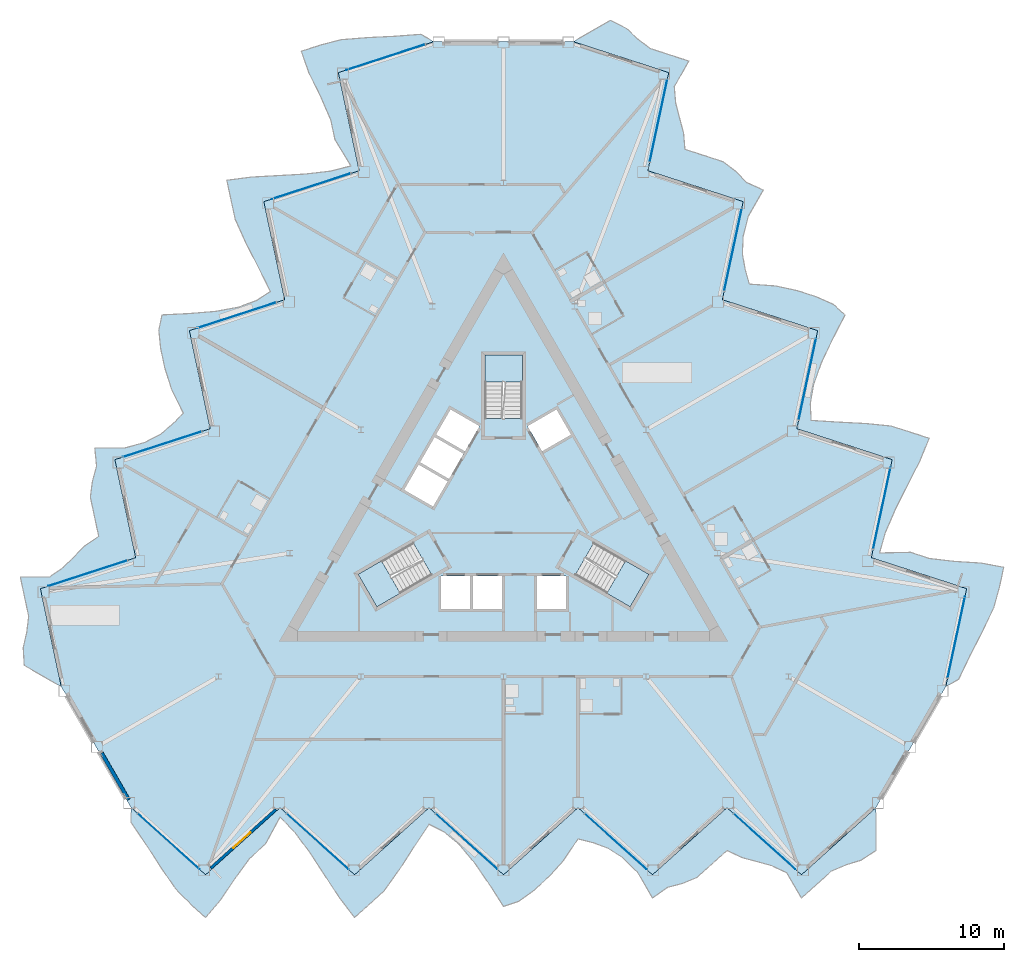
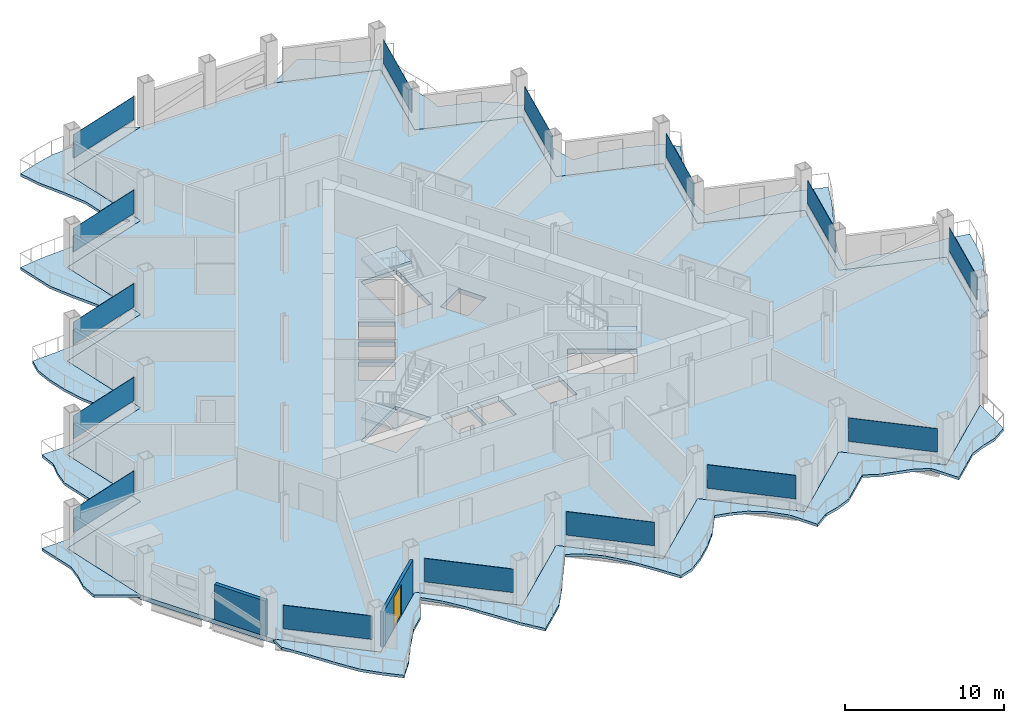
# One storey, part 9 of 22: 15 plates, 7 slabs, 2 walls, 1 door, 1 opening, 18 elements without a shape of their own.
"""IFC4 building model written with IfcOpenShell, lengths in metres."""

from ifc_helpers import new_model, si_unit, direction, frame, frame_2d, origin, origin_2d, place, context, subcontext, project, spatial, polyline, rectangle, outline, extrude, material, layer, layer_set, type_object, element, fill, aggregate, save


model = new_model("IFC4")

# Units and contexts
model_context = context("Model", 3, precision=1e-05, world=origin(), true_north=direction((0.0, 1.0)))
body_context = subcontext(model_context, "Body", "Model", "MODEL_VIEW")
ifc_project = project(units=[si_unit("LENGTHUNIT", "METRE"), si_unit("AREAUNIT", "SQUARE_METRE"), si_unit("VOLUMEUNIT", "CUBIC_METRE"), si_unit("PLANEANGLEUNIT", "RADIAN"), si_unit("MASSUNIT", "GRAM", prefix="KILO")], contexts=[model_context])

# Site, building, storey
site_placement = place(None, origin())
site = spatial("IfcSite", under=ifc_project, at=site_placement, CompositionType="ELEMENT")
building_placement = place(site_placement, origin())
building = spatial("IfcBuilding", under=site, at=building_placement, Name="Cormorant Prow Tower", CompositionType="ELEMENT")
storey_placement = place(building_placement, frame((0.0, 0.0, 190.800048828125)))
storey = spatial("IfcBuildingStorey", under=building, at=storey_placement, Name="L41", CompositionType="ELEMENT", Elevation=190.800048828125)

# Slabs
ifc_material_1 = material(Name="Concrete C40/50", Category="concrete")
ifc_layer_1 = layer(ifc_material_1, 0.199951171875)
ifc_layer_set_1 = layer_set([ifc_layer_1], Name="Concrete C40/50")
slab_type_1 = type_object("IfcSlabType", Name="Balcony slab 200", PredefinedType="FLOOR", material=ifc_layer_set_1)
slab_1_placement = place(storey_placement, frame((0.0, 0.0, -0.199951171875)))
element("IfcSlab", 1, at=slab_1_placement, inside=storey, type_object=slab_type_1, Name="Balcony slab S L41", PredefinedType="FLOOR", context=body_context, shape_type="SweptSolid", body=[
    extrude(outline(polyline([(-25.692626953125, -20.39892578125), (-25.692626953125, -21.4150390625), (-24.664794921875, -22.92431640625), (-23.63720703125, -24.52001953125), (-22.609375, -26.009033203125), (-21.581787109375, -27.05029296875), (-20.55419921875, -27.975830078125), (-19.5263671875, -26.775146484375), (-18.498779296875, -25.2314453125), (-17.470947265625, -23.849609375), (-16.443359375, -22.92431640625), (-15.41552734375, -21.0517578125), (-14.387939453125, -22.11328125), (-13.360107421875, -23.494384765625), (-12.33251953125, -25.064208984375), (-11.3046875, -26.636962890625), (-10.277099609375, -27.975830078125), (-9.249267578125, -27.05029296875), (-8.2216796875, -26.11181640625), (-7.19384765625, -24.67626953125), (-6.166259765625, -23.08935546875), (-5.138427734375, -21.541259765625), (-4.11083984375, -22.061767578125), (-3.0830078125, -22.9169921875), (-2.055419921875, -24.126708984375), (-1.027587890625, -25.609375), (0.0, -27.20458984375), (1.027587890625, -26.86865234375), (2.055419921875, -26.125), (3.0830078125, -25.19970703125), (4.11083984375, -24.0712890625), (5.138427734375, -22.548828125), (6.166259765625, -22.805419921875), (7.19384765625, -23.182373046875), (8.2216796875, -23.837646484375), (9.249267578125, -24.84912109375), (10.277099609375, -26.625732421875), (11.3046875, -25.894775390625), (12.33251953125, -25.62841796875), (13.360107421875, -25.19970703125), (14.387939453125, -24.2744140625), (15.41552734375, -23.348876953125), (16.443359375, -23.83544921875), (17.470947265625, -24.109375), (18.498779296875, -24.394775390625), (19.5263671875, -24.8759765625), (20.55419921875, -26.625732421875), (21.581787109375, -25.700439453125), (22.609375, -24.77490234375), (23.63720703125, -24.33544921875), (24.664794921875, -24.022216796875), (25.692626953125, -23.348876953125), (25.692626953125, -20.39892578125), (24.664794921875, -21.32421875), (23.63720703125, -22.249755859375), (22.609375, -23.175048828125), (21.581787109375, -24.100341796875), (20.55419921875, -25.025634765625), (19.5263671875, -24.100341796875), (18.498779296875, -23.175048828125), (17.470947265625, -22.249755859375), (16.443359375, -21.32421875), (15.41552734375, -20.39892578125), (14.387939453125, -21.32421875), (13.360107421875, -22.249755859375), (12.33251953125, -23.175048828125), (11.3046875, -24.100341796875), (10.277099609375, -25.025634765625), (9.249267578125, -24.100341796875), (8.2216796875, -23.175048828125), (7.19384765625, -22.249755859375), (6.166259765625, -21.32421875), (5.138427734375, -20.39892578125), (4.11083984375, -21.32421875), (3.0830078125, -22.249755859375), (2.055419921875, -23.175048828125), (1.027587890625, -24.100341796875), (0.0, -25.025634765625), (-1.027587890625, -24.100341796875), (-2.055419921875, -23.175048828125), (-3.0830078125, -22.249755859375), (-4.11083984375, -21.32421875), (-5.138427734375, -20.39892578125), (-6.166259765625, -21.32421875), (-7.19384765625, -22.249755859375), (-8.2216796875, -23.175048828125), (-9.249267578125, -24.100341796875), (-10.277099609375, -25.025634765625), (-11.3046875, -24.100341796875), (-12.33251953125, -23.175048828125), (-13.360107421875, -22.249755859375), (-14.387939453125, -21.32421875), (-15.41552734375, -20.39892578125), (-16.443359375, -21.32421875), (-17.470947265625, -22.249755859375), (-18.498779296875, -23.175048828125), (-19.5263671875, -24.100341796875), (-20.55419921875, -25.025634765625), (-21.581787109375, -24.100341796875), (-22.609375, -23.175048828125), (-23.63720703125, -22.249755859375), (-24.664794921875, -21.32421875), (-25.692626953125, -20.39892578125)])), origin(), (0.0, 0.0, 1.0), 0.199951171875),
])
slab_2_placement = place(storey_placement, frame((0.0, 0.0, -0.199951171875)))
element("IfcSlab", 2, at=slab_2_placement, inside=storey, type_object=slab_type_1, Name="Balcony slab ENE L41", PredefinedType="FLOOR", context=body_context, shape_type="SweptSolid", body=[
    extrude(outline(polyline([(30.51220703125, -12.051025390625), (31.392333984375, -11.54296875), (32.185546875, -9.898193359375), (33.053466796875, -8.21044921875), (33.8291015625, -6.575927734375), (34.21728515625, -5.165283203125), (34.504638671875, -3.8125), (32.951171875, -3.522705078125), (31.100341796875, -3.404541015625), (29.389892578125, -3.20556640625), (28.07470703125, -2.778076171875), (25.939208984375, -2.824462890625), (26.344482421875, -1.403564453125), (27.02685546875, 0.177001953125), (27.872314453125, 1.851806640625), (28.720703125, 3.5283203125), (29.3662109375, 5.087646484375), (28.051025390625, 5.51513671875), (26.724365234375, 5.935791015625), (24.96728515625, 6.108154296875), (23.0791015625, 6.20458984375), (21.224609375, 6.320556640625), (21.16162109375, 7.470947265625), (21.38818359375, 8.788330078125), (21.922119140625, 10.283447265625), (22.692138671875, 11.91455078125), (23.559814453125, 13.602294921875), (22.755126953125, 14.324462890625), (21.59716796875, 14.842529296875), (20.281982421875, 15.269775390625), (18.790771484375, 15.595703125), (16.958740234375, 15.724609375), (16.6669921875, 16.742919921875), (16.4794921875, 17.8212890625), (16.533203125, 19.0390625), (16.895263671875, 20.434814453125), (17.919921875, 22.213134765625), (16.773193359375, 22.737548828125), (16.028564453125, 23.494384765625), (15.1435546875, 24.170166015625), (13.828125, 24.597412109375), (12.512939453125, 25.024658203125), (12.42041015625, 26.157958984375), (12.143798828125, 27.184814453125), (11.877197265625, 28.2177734375), (11.780029296875, 29.348388671875), (12.781494140625, 31.11328125), (11.46630859375, 31.54052734375), (10.151123046875, 31.968017578125), (9.256591796875, 32.63818359375), (8.47119140625, 33.37158203125), (7.37451171875, 33.925048828125), (4.81982421875, 32.449951171875), (6.135009765625, 32.022705078125), (7.4501953125, 31.59521484375), (8.765380859375, 31.16796875), (10.08056640625, 30.740478515625), (11.395751953125, 30.313232421875), (11.1083984375, 28.96044921875), (10.82080078125, 27.60791015625), (10.533203125, 26.255126953125), (10.245849609375, 24.90234375), (9.958251953125, 23.5498046875), (11.2734375, 23.122314453125), (12.588623046875, 22.695068359375), (13.90380859375, 22.267822265625), (15.21923828125, 21.84033203125), (16.534423828125, 21.4130859375), (16.246826171875, 20.060302734375), (15.959228515625, 18.707763671875), (15.671875, 17.35498046875), (15.38427734375, 16.002197265625), (15.0966796875, 14.649658203125), (16.412109375, 14.22216796875), (17.727294921875, 13.794921875), (19.04248046875, 13.367431640625), (20.357666015625, 12.940185546875), (21.6728515625, 12.512939453125), (21.385498046875, 11.16015625), (21.097900390625, 9.807373046875), (20.810302734375, 8.454833984375), (20.522705078125, 7.10205078125), (20.2353515625, 5.74951171875), (21.550537109375, 5.322021484375), (22.86572265625, 4.894775390625), (24.180908203125, 4.46728515625), (25.49609375, 4.0400390625), (26.8115234375, 3.61279296875), (26.52392578125, 2.260009765625), (26.236328125, 0.9072265625), (25.94873046875, -0.4453125), (25.661376953125, -1.798095703125), (25.373779296875, -3.15087890625), (26.68896484375, -3.578125), (28.004150390625, -4.00537109375), (29.319580078125, -4.432861328125), (30.634765625, -4.860107421875), (31.949951171875, -5.28759765625), (31.662353515625, -6.64013671875), (31.375, -7.992919921875), (31.08740234375, -9.345703125), (30.7998046875, -10.6982421875), (30.51220703125, -12.051025390625)])), origin(), (0.0, 0.0, 1.0), 0.199951171875),
])
slab_3_placement = place(storey_placement, frame((0.0, 0.0, -0.199951171875)))
element("IfcSlab", 3, at=slab_3_placement, inside=storey, type_object=slab_type_1, Name="Balcony slab WNW L41", PredefinedType="FLOOR", context=body_context, shape_type="SweptSolid", body=[
    extrude(outline(polyline([(-4.81982421875, 32.449951171875), (-5.69970703125, 32.9580078125), (-7.5205078125, 32.822509765625), (-9.416259765625, 32.73046875), (-11.2197265625, 32.5849609375), (-12.635498046875, 32.215576171875), (-13.95068359375, 31.788330078125), (-13.4248046875, 30.2978515625), (-12.601806640625, 28.635986328125), (-11.9189453125, 27.05517578125), (-11.63134765625, 25.702392578125), (-10.523681640625, 23.876220703125), (-11.956787109375, 23.516845703125), (-13.666748046875, 23.3173828125), (-15.5400390625, 23.21240234375), (-17.416015625, 23.108642578125), (-19.089111328125, 22.887939453125), (-18.801513671875, 21.535400390625), (-18.502685546875, 20.176025390625), (-17.7734375, 18.568359375), (-16.912841796875, 16.884765625), (-16.0859375, 15.220703125), (-17.05078125, 14.591064453125), (-18.30517578125, 14.12841796875), (-19.86669921875, 13.843505859375), (-21.66455078125, 13.69482421875), (-23.559814453125, 13.602294921875), (-23.782958984375, 12.54443359375), (-23.652587890625, 11.282470703125), (-23.364990234375, 9.9296875), (-22.901611328125, 8.4755859375), (-22.09716796875, 6.824462890625), (-22.833251953125, 6.0625), (-23.673583984375, 5.361083984375), (-24.7548828125, 4.798828125), (-26.14453125, 4.414306640625), (-28.197021484375, 4.41259765625), (-28.077880859375, 3.1572265625), (-28.361083984375, 2.134033203125), (-28.503662109375, 1.029541015625), (-28.216064453125, -0.322998046875), (-27.928466796875, -1.67578125), (-28.863525390625, -2.322509765625), (-29.61474609375, -3.07568359375), (-30.3759765625, -3.822998046875), (-31.306396484375, -4.472412109375), (-33.335693359375, -4.487548828125), (-33.048095703125, -5.840087890625), (-32.760498046875, -7.19287109375), (-32.8935546875, -8.302734375), (-33.13623046875, -9.349365234375), (-33.067138671875, -10.575927734375), (-30.51220703125, -12.051025390625), (-30.7998046875, -10.6982421875), (-31.08740234375, -9.345703125), (-31.375, -7.992919921875), (-31.662353515625, -6.64013671875), (-31.949951171875, -5.28759765625), (-30.634765625, -4.860107421875), (-29.319580078125, -4.432861328125), (-28.004150390625, -4.00537109375), (-26.68896484375, -3.578125), (-25.373779296875, -3.15087890625), (-25.661376953125, -1.798095703125), (-25.94873046875, -0.4453125), (-26.236328125, 0.9072265625), (-26.52392578125, 2.260009765625), (-26.8115234375, 3.61279296875), (-25.49609375, 4.0400390625), (-24.180908203125, 4.46728515625), (-22.86572265625, 4.894775390625), (-21.550537109375, 5.322021484375), (-20.2353515625, 5.74951171875), (-20.522705078125, 7.10205078125), (-20.810302734375, 8.454833984375), (-21.097900390625, 9.807373046875), (-21.385498046875, 11.16015625), (-21.6728515625, 12.512939453125), (-20.357666015625, 12.940185546875), (-19.04248046875, 13.367431640625), (-17.727294921875, 13.794921875), (-16.412109375, 14.22216796875), (-15.0966796875, 14.649658203125), (-15.38427734375, 16.002197265625), (-15.671875, 17.35498046875), (-15.959228515625, 18.707763671875), (-16.246826171875, 20.060302734375), (-16.534423828125, 21.4130859375), (-15.21923828125, 21.84033203125), (-13.90380859375, 22.267822265625), (-12.588623046875, 22.695068359375), (-11.2734375, 23.122314453125), (-9.958251953125, 23.5498046875), (-10.245849609375, 24.90234375), (-10.533203125, 26.255126953125), (-10.82080078125, 27.60791015625), (-11.1083984375, 28.96044921875), (-11.395751953125, 30.313232421875), (-10.08056640625, 30.740478515625), (-8.765380859375, 31.16796875), (-7.4501953125, 31.59521484375), (-6.135009765625, 32.022705078125), (-4.81982421875, 32.449951171875)])), origin(), (0.0, 0.0, 1.0), 0.199951171875),
])

# Curtain wall, plate
ifc_material_2 = material(Name="Aluminium 6063-T6", Category="aluminium")
ifc_layer_2 = layer(ifc_material_2, 0.179931640625)
ifc_layer_set_2 = layer_set([ifc_layer_2], Name="Aluminium 6063-T6")
curtain_wall_type = type_object("IfcCurtainWallType", Name="Hotel unitised curtain wall 180", PredefinedType="NOTDEFINED", material=ifc_layer_set_2)
curtain_wall_1_placement = place(storey_placement, origin())
curtain_wall_1 = element("IfcCurtainWall", 4, at=curtain_wall_1_placement, inside=storey, type_object=curtain_wall_type, Name="Hotel curtain wall S00", PredefinedType="NOTDEFINED")
ifc_material_3 = material(Name="Clear glass", Category="glass")
ifc_layer_3 = layer(ifc_material_3, 0.028076171875)
ifc_layer_set_3 = layer_set([ifc_layer_3], Name="Clear glass")
plate_type = type_object("IfcPlateType", Name="Hotel glass panel 28", PredefinedType="CURTAIN_PANEL", material=ifc_layer_set_3)
plate_1_placement = place(storey_placement, frame((-23.10107421875, -22.732421875, 0.89990234375), z_axis=(0.0, 0.0, 1.0), x_axis=(0.743144831959, -0.66913059916, 0.0)))
plate_1 = element("IfcPlate", 5, at=plate_1_placement, type_object=plate_type, Name="Hotel glass panel S00", PredefinedType="CURTAIN_PANEL", context=body_context, shape_type="SweptSolid", body=[
    extrude(rectangle(XDim=5.718505859375, YDim=0.028076171875, at=origin_2d()), origin(), (0.0, 0.0, 1.0), 1.80078125),
])
aggregate(curtain_wall_1, [plate_1])

curtain_wall_2_placement = place(storey_placement, origin())
curtain_wall_2 = element("IfcCurtainWall", 6, at=curtain_wall_2_placement, inside=storey, type_object=curtain_wall_type, Name="Hotel curtain wall S02", PredefinedType="NOTDEFINED")
plate_2_placement = place(storey_placement, frame((-12.823974609375, -22.732421875, 0.89990234375), z_axis=(0.0, 0.0, 1.0), x_axis=(0.743144831959, -0.66913059916, 0.0)))
plate_2 = element("IfcPlate", 7, at=plate_2_placement, type_object=plate_type, Name="Hotel glass panel S02", PredefinedType="CURTAIN_PANEL", context=body_context, shape_type="SweptSolid", body=[
    extrude(rectangle(XDim=5.718505859375, YDim=0.028076171875, at=origin_2d()), origin(), (0.0, 0.0, 1.0), 1.80078125),
])
aggregate(curtain_wall_2, [plate_2])

curtain_wall_3_placement = place(storey_placement, origin())
curtain_wall_3 = element("IfcCurtainWall", 8, at=curtain_wall_3_placement, inside=storey, type_object=curtain_wall_type, Name="Hotel curtain wall S04", PredefinedType="NOTDEFINED")
plate_3_placement = place(storey_placement, frame((-2.546875, -22.732421875, 0.89990234375), z_axis=(0.0, 0.0, 1.0), x_axis=(0.743144831959, -0.66913059916, 0.0)))
plate_3 = element("IfcPlate", 9, at=plate_3_placement, type_object=plate_type, Name="Hotel glass panel S04", PredefinedType="CURTAIN_PANEL", context=body_context, shape_type="SweptSolid", body=[
    extrude(rectangle(XDim=5.718505859375, YDim=0.028076171875, at=origin_2d()), origin(), (0.0, 0.0, 1.0), 1.80078125),
])
aggregate(curtain_wall_3, [plate_3])

curtain_wall_4_placement = place(storey_placement, origin())
curtain_wall_4 = element("IfcCurtainWall", 10, at=curtain_wall_4_placement, inside=storey, type_object=curtain_wall_type, Name="Hotel curtain wall S06", PredefinedType="NOTDEFINED")
plate_4_placement = place(storey_placement, frame((7.72998046875, -22.732421875, 0.89990234375), z_axis=(0.0, 0.0, 1.0), x_axis=(0.743144831959, -0.66913059916, 0.0)))
plate_4 = element("IfcPlate", 11, at=plate_4_placement, type_object=plate_type, Name="Hotel glass panel S06", PredefinedType="CURTAIN_PANEL", context=body_context, shape_type="SweptSolid", body=[
    extrude(rectangle(XDim=5.718505859375, YDim=0.028076171875, at=origin_2d()), origin(), (0.0, 0.0, 1.0), 1.80078125),
])
aggregate(curtain_wall_4, [plate_4])

curtain_wall_5_placement = place(storey_placement, origin())
curtain_wall_5 = element("IfcCurtainWall", 12, at=curtain_wall_5_placement, inside=storey, type_object=curtain_wall_type, Name="Hotel curtain wall S08", PredefinedType="NOTDEFINED")
plate_5_placement = place(storey_placement, frame((18.007080078125, -22.732421875, 0.89990234375), z_axis=(0.0, 0.0, 1.0), x_axis=(0.743144831959, -0.66913059916, 0.0)))
plate_5 = element("IfcPlate", 13, at=plate_5_placement, type_object=plate_type, Name="Hotel glass panel S08", PredefinedType="CURTAIN_PANEL", context=body_context, shape_type="SweptSolid", body=[
    extrude(rectangle(XDim=5.718505859375, YDim=0.028076171875, at=origin_2d()), origin(), (0.0, 0.0, 1.0), 1.80078125),
])
aggregate(curtain_wall_5, [plate_5])

curtain_wall_6_placement = place(storey_placement, origin())
curtain_wall_6 = element("IfcCurtainWall", 14, at=curtain_wall_6_placement, inside=storey, type_object=curtain_wall_type, Name="Hotel curtain wall ENE00", PredefinedType="NOTDEFINED")
plate_6_placement = place(storey_placement, frame((31.2373046875, -8.639892578125, 0.89990234375), z_axis=(0.0, 0.0, 1.0), x_axis=(0.207911659303, 0.978147607432, 0.0)))
plate_6 = element("IfcPlate", 15, at=plate_6_placement, type_object=plate_type, Name="Hotel glass panel ENE00", PredefinedType="CURTAIN_PANEL", context=body_context, shape_type="SweptSolid", body=[
    extrude(rectangle(XDim=5.718505859375, YDim=0.028076171875, at=origin_2d()), origin(), (0.0, 0.0, 1.0), 1.80078125),
])
aggregate(curtain_wall_6, [plate_6])

curtain_wall_7_placement = place(storey_placement, origin())
curtain_wall_7 = element("IfcCurtainWall", 16, at=curtain_wall_7_placement, inside=storey, type_object=curtain_wall_type, Name="Hotel curtain wall ENE02", PredefinedType="NOTDEFINED")
plate_7_placement = place(storey_placement, frame((26.098876953125, 0.26025390625, 0.89990234375), z_axis=(0.0, 0.0, 1.0), x_axis=(0.207911659303, 0.978147607432, 0.0)))
plate_7 = element("IfcPlate", 17, at=plate_7_placement, type_object=plate_type, Name="Hotel glass panel ENE02", PredefinedType="CURTAIN_PANEL", context=body_context, shape_type="SweptSolid", body=[
    extrude(rectangle(XDim=5.718505859375, YDim=0.028076171875, at=origin_2d()), origin(), (0.0, 0.0, 1.0), 1.80078125),
])
aggregate(curtain_wall_7, [plate_7])

curtain_wall_8_placement = place(storey_placement, origin())
curtain_wall_8 = element("IfcCurtainWall", 18, at=curtain_wall_8_placement, inside=storey, type_object=curtain_wall_type, Name="Hotel curtain wall ENE04", PredefinedType="NOTDEFINED")
plate_8_placement = place(storey_placement, frame((20.96044921875, 9.160400390625, 0.89990234375), z_axis=(0.0, 0.0, 1.0), x_axis=(0.207911629905, 0.978147613681, 0.0)))
plate_8 = element("IfcPlate", 19, at=plate_8_placement, type_object=plate_type, Name="Hotel glass panel ENE04", PredefinedType="CURTAIN_PANEL", context=body_context, shape_type="SweptSolid", body=[
    extrude(rectangle(XDim=5.718505859375, YDim=0.028076171875, at=origin_2d()), origin(), (0.0, 0.0, 1.0), 1.80078125),
])
aggregate(curtain_wall_8, [plate_8])

curtain_wall_9_placement = place(storey_placement, origin())
curtain_wall_9 = element("IfcCurtainWall", 20, at=curtain_wall_9_placement, inside=storey, type_object=curtain_wall_type, Name="Hotel curtain wall ENE06", PredefinedType="NOTDEFINED")
plate_9_placement = place(storey_placement, frame((15.82177734375, 18.060546875, 0.89990234375), z_axis=(0.0, 0.0, 1.0), x_axis=(0.207911659303, 0.978147607432, 0.0)))
plate_9 = element("IfcPlate", 21, at=plate_9_placement, type_object=plate_type, Name="Hotel glass panel ENE06", PredefinedType="CURTAIN_PANEL", context=body_context, shape_type="SweptSolid", body=[
    extrude(rectangle(XDim=5.718505859375, YDim=0.028076171875, at=origin_2d()), origin(), (0.0, 0.0, 1.0), 1.80078125),
])
aggregate(curtain_wall_9, [plate_9])

curtain_wall_10_placement = place(storey_placement, origin())
curtain_wall_10 = element("IfcCurtainWall", 22, at=curtain_wall_10_placement, inside=storey, type_object=curtain_wall_type, Name="Hotel curtain wall ENE08", PredefinedType="NOTDEFINED")
plate_10_placement = place(storey_placement, frame((10.683349609375, 26.9609375, 0.89990234375), z_axis=(0.0, 0.0, 1.0), x_axis=(0.207911659303, 0.978147607432, 0.0)))
plate_10 = element("IfcPlate", 23, at=plate_10_placement, type_object=plate_type, Name="Hotel glass panel ENE08", PredefinedType="CURTAIN_PANEL", context=body_context, shape_type="SweptSolid", body=[
    extrude(rectangle(XDim=5.718505859375, YDim=0.028076171875, at=origin_2d()), origin(), (0.0, 0.0, 1.0), 1.80078125),
])
aggregate(curtain_wall_10, [plate_10])

curtain_wall_11_placement = place(storey_placement, origin())
curtain_wall_11 = element("IfcCurtainWall", 24, at=curtain_wall_11_placement, inside=storey, type_object=curtain_wall_type, Name="Hotel curtain wall WNW00", PredefinedType="NOTDEFINED")
plate_11_placement = place(storey_placement, frame((-8.13623046875, 31.372314453125, 0.89990234375), z_axis=(0.0, 0.0, 1.0), x_axis=(-0.95105653377, -0.309016940594, 0.0)))
plate_11 = element("IfcPlate", 25, at=plate_11_placement, type_object=plate_type, Name="Hotel glass panel WNW00", PredefinedType="CURTAIN_PANEL", context=body_context, shape_type="SweptSolid", body=[
    extrude(rectangle(XDim=5.718505859375, YDim=0.028076171875, at=origin_2d()), origin(), (0.0, 0.0, 1.0), 1.80078125),
])
aggregate(curtain_wall_11, [plate_11])

curtain_wall_12_placement = place(storey_placement, origin())
curtain_wall_12 = element("IfcCurtainWall", 26, at=curtain_wall_12_placement, inside=storey, type_object=curtain_wall_type, Name="Hotel curtain wall WNW02", PredefinedType="NOTDEFINED")
plate_12_placement = place(storey_placement, frame((-13.27490234375, 22.47216796875, 0.89990234375), z_axis=(0.0, 0.0, 1.0), x_axis=(-0.951056477458, -0.309017113905, 0.0)))
plate_12 = element("IfcPlate", 27, at=plate_12_placement, type_object=plate_type, Name="Hotel glass panel WNW02", PredefinedType="CURTAIN_PANEL", context=body_context, shape_type="SweptSolid", body=[
    extrude(rectangle(XDim=5.718505859375, YDim=0.028076171875, at=origin_2d()), origin(), (0.0, 0.0, 1.0), 1.80078125),
])
aggregate(curtain_wall_12, [plate_12])

curtain_wall_13_placement = place(storey_placement, origin())
curtain_wall_13 = element("IfcCurtainWall", 28, at=curtain_wall_13_placement, inside=storey, type_object=curtain_wall_type, Name="Hotel curtain wall WNW04", PredefinedType="NOTDEFINED")
plate_13_placement = place(storey_placement, frame((-18.413330078125, 13.572021484375, 0.89990234375), z_axis=(0.0, 0.0, 1.0), x_axis=(-0.951056519963, -0.309016983088, 0.0)))
plate_13 = element("IfcPlate", 29, at=plate_13_placement, type_object=plate_type, Name="Hotel glass panel WNW04", PredefinedType="CURTAIN_PANEL", context=body_context, shape_type="SweptSolid", body=[
    extrude(rectangle(XDim=5.718505859375, YDim=0.028076171875, at=origin_2d()), origin(), (0.0, 0.0, 1.0), 1.80078125),
])
aggregate(curtain_wall_13, [plate_13])

curtain_wall_14_placement = place(storey_placement, origin())
curtain_wall_14 = element("IfcCurtainWall", 30, at=curtain_wall_14_placement, inside=storey, type_object=curtain_wall_type, Name="Hotel curtain wall WNW06", PredefinedType="NOTDEFINED")
plate_14_placement = place(storey_placement, frame((-23.552001953125, 4.671875, 0.89990234375), z_axis=(0.0, 0.0, 1.0), x_axis=(-0.951056519963, -0.309016983088, 0.0)))
plate_14 = element("IfcPlate", 31, at=plate_14_placement, type_object=plate_type, Name="Hotel glass panel WNW06", PredefinedType="CURTAIN_PANEL", context=body_context, shape_type="SweptSolid", body=[
    extrude(rectangle(XDim=5.718505859375, YDim=0.028076171875, at=origin_2d()), origin(), (0.0, 0.0, 1.0), 1.80078125),
])
aggregate(curtain_wall_14, [plate_14])

curtain_wall_15_placement = place(storey_placement, origin())
curtain_wall_15 = element("IfcCurtainWall", 32, at=curtain_wall_15_placement, inside=storey, type_object=curtain_wall_type, Name="Hotel curtain wall WNW08", PredefinedType="NOTDEFINED")
plate_15_placement = place(storey_placement, frame((-28.6904296875, -4.228515625, 0.89990234375), z_axis=(0.0, 0.0, 1.0), x_axis=(-0.951056477458, -0.309017113905, 0.0)))
plate_15 = element("IfcPlate", 33, at=plate_15_placement, type_object=plate_type, Name="Hotel glass panel WNW08", PredefinedType="CURTAIN_PANEL", context=body_context, shape_type="SweptSolid", body=[
    extrude(rectangle(XDim=5.718505859375, YDim=0.028076171875, at=origin_2d()), origin(), (0.0, 0.0, 1.0), 1.80078125),
])
aggregate(curtain_wall_15, [plate_15])

# Slab
ifc_material_4 = material(Name="Concrete C40/50", Category="concrete")
ifc_layer_4 = layer(ifc_material_4, 0.35009765625)
ifc_layer_set_4 = layer_set([ifc_layer_4], Name="Concrete C40/50")
slab_type_2 = type_object("IfcSlabType", Name="Post-tensioned flat slab 350", PredefinedType="FLOOR", material=ifc_layer_set_4)
slab_4_placement = place(storey_placement, frame((0.0, 0.0, -0.35009765625)))
element("IfcSlab", 34, at=slab_4_placement, inside=storey, type_object=slab_type_2, Name="Floor slab L41", PredefinedType="FLOOR", context=body_context, shape_type="SweptSolid", body=[
    extrude(outline(polyline([(-9.958251953125, 23.5498046875), (-16.534423828125, 21.4130859375), (-15.0966796875, 14.649658203125), (-21.6728515625, 12.512939453125), (-20.2353515625, 5.74951171875), (-26.8115234375, 3.61279296875), (-25.373779296875, -3.15087890625), (-31.949951171875, -5.28759765625), (-30.51220703125, -12.051025390625), (-28.1025390625, -16.224853515625), (-25.692626953125, -20.39892578125), (-20.55419921875, -25.025634765625), (-15.41552734375, -20.39892578125), (-10.277099609375, -25.025634765625), (-5.138427734375, -20.39892578125), (0.0, -25.025634765625), (5.138427734375, -20.39892578125), (10.277099609375, -25.025634765625), (15.41552734375, -20.39892578125), (20.55419921875, -25.025634765625), (25.692626953125, -20.39892578125), (28.1025390625, -16.224853515625), (30.51220703125, -12.051025390625), (31.949951171875, -5.28759765625), (25.373779296875, -3.15087890625), (26.8115234375, 3.61279296875), (20.2353515625, 5.74951171875), (21.6728515625, 12.512939453125), (15.0966796875, 14.649658203125), (16.534423828125, 21.4130859375), (9.958251953125, 23.5498046875), (11.395751953125, 30.313232421875), (4.81982421875, 32.449951171875), (0.0, 32.449951171875), (-4.81982421875, 32.449951171875), (-11.395751953125, 30.313232421875), (-9.958251953125, 23.5498046875)]), holes=[polyline([(-4.300048828125, -4.39990234375), (-2.300048828125, -4.39990234375), (-2.300048828125, -6.699951171875), (-4.300048828125, -6.699951171875), (-4.300048828125, -4.39990234375)]), polyline([(-0.10009765625, -4.39990234375), (-0.10009765625, -6.699951171875), (-2.10009765625, -6.699951171875), (-2.10009765625, -4.39990234375), (-0.10009765625, -4.39990234375)]), polyline([(4.300048828125, -6.699951171875), (2.300048828125, -6.699951171875), (2.300048828125, -4.39990234375), (4.300048828125, -4.39990234375), (4.300048828125, -6.699951171875)]), polyline([(4.65234375, 5.341796875), (2.660400390625, 4.19189453125), (1.660400390625, 5.923828125), (3.65234375, 7.073974609375), (4.65234375, 5.341796875)]), polyline([(-1.660400390625, 5.923828125), (-2.660400390625, 4.19189453125), (-4.65234375, 5.341796875), (-3.65234375, 7.073974609375), (-1.660400390625, 5.923828125)]), polyline([(-3.760498046875, 2.28662109375), (-5.75244140625, 3.4365234375), (-4.75244140625, 5.168701171875), (-2.760498046875, 4.018798828125), (-3.760498046875, 2.28662109375)]), polyline([(-6.852294921875, 1.53125), (-5.852294921875, 3.263427734375), (-3.860595703125, 2.11328125), (-4.860595703125, 0.38134765625), (-6.852294921875, 1.53125)]), polyline([(-4.947509765625, -4.3505859375), (-8.738037109375, -6.5390625), (-10.031982421875, -4.2978515625), (-6.241455078125, -2.109375), (-4.947509765625, -4.3505859375)]), polyline([(10.031982421875, -4.2978515625), (8.738037109375, -6.5390625), (4.947509765625, -4.3505859375), (6.241455078125, -2.109375), (10.031982421875, -4.2978515625)]), polyline([(1.2939453125, 10.8369140625), (1.2939453125, 6.459716796875), (-1.2939453125, 6.459716796875), (-1.2939453125, 10.8369140625), (1.2939453125, 10.8369140625)])]), origin(), (0.0, 0.0, 1.0), 0.35009765625),
])

# Stair, slab
ifc_material_5 = material(Name="Exit stair 20 risers")
stair_type = type_object("IfcStairType", Name="Exit stair 20 risers", PredefinedType="HALF_TURN_STAIR", material=ifc_material_5)
stair_1_placement = place(storey_placement, origin())
stair_1 = element("IfcStair", 35, at=stair_1_placement, inside=storey, type_object=stair_type, Name="L41 Exit stair ST1", PredefinedType="HALF_TURN_STAIR")
ifc_material_6 = material(Name="Concrete 5000 psi", Category="concrete")
ifc_layer_5 = layer(ifc_material_6, 0.199951171875)
ifc_layer_set_5 = layer_set([ifc_layer_5], Name="Concrete 5000 psi")
slab_type_3 = type_object("IfcSlabType", Name="Stair landing 200", PredefinedType="LANDING", material=ifc_layer_set_5)
slab_5_placement = place(storey_placement, frame((0.0, 0.0, 1.599853515625)))
slab_5 = element("IfcSlab", 36, at=slab_5_placement, type_object=slab_type_3, Name="ST1 landing 1", PredefinedType="LANDING", context=body_context, shape_type="SweptSolid", body=[
    extrude(outline(polyline([(-8.416748046875, -3.365234375), (-10.031982421875, -4.2978515625), (-8.738037109375, -6.5390625), (-7.122802734375, -5.6064453125), (-8.416748046875, -3.365234375)])), origin(), (0.0, 0.0, 1.0), 0.2001953125),
])
aggregate(stair_1, [slab_5])

stair_2_placement = place(storey_placement, origin())
stair_2 = element("IfcStair", 37, at=stair_2_placement, inside=storey, type_object=stair_type, Name="L41 Exit stair ST2", PredefinedType="HALF_TURN_STAIR")
slab_6_placement = place(storey_placement, frame((0.0, 0.0, 1.599853515625)))
slab_6 = element("IfcSlab", 38, at=slab_6_placement, type_object=slab_type_3, Name="ST2 landing 1", PredefinedType="LANDING", context=body_context, shape_type="SweptSolid", body=[
    extrude(outline(polyline([(7.122802734375, -5.6064453125), (8.738037109375, -6.5390625), (10.031982421875, -4.2978515625), (8.416748046875, -3.365234375), (7.122802734375, -5.6064453125)])), origin(), (0.0, 0.0, 1.0), 0.2001953125),
])
aggregate(stair_2, [slab_6])

stair_3_placement = place(storey_placement, origin())
stair_3 = element("IfcStair", 39, at=stair_3_placement, inside=storey, type_object=stair_type, Name="L41 Exit stair ST3", PredefinedType="HALF_TURN_STAIR")
slab_7_placement = place(storey_placement, frame((0.0, 0.0, 1.599853515625)))
slab_7 = element("IfcSlab", 40, at=slab_7_placement, type_object=slab_type_3, Name="ST3 landing 1", PredefinedType="LANDING", context=body_context, shape_type="SweptSolid", body=[
    extrude(outline(polyline([(1.2939453125, 8.971923828125), (1.2939453125, 10.8369140625), (-1.2939453125, 10.8369140625), (-1.2939453125, 8.971923828125), (1.2939453125, 8.971923828125)])), origin(), (0.0, 0.0, 1.0), 0.2001953125),
])
aggregate(stair_3, [slab_7])

# Wall
ifc_material_7 = material(Name="Terracotta", Category="masonry")
ifc_layer_6 = layer(ifc_material_7, 0.25)
ifc_layer_set_6 = layer_set([ifc_layer_6], Name="Terracotta")
wall_type_1 = type_object("IfcWallType", Name="Terracotta bay wall 250", PredefinedType="SOLIDWALL", material=ifc_layer_set_6)
wall_1_placement = place(storey_placement, frame((-27.727294921875, -16.624755859375, 0.0), z_axis=(0.0, 0.0, 1.0), x_axis=(0.499995303914, -0.866028115054, 0.0)))
element("IfcWall", 41, at=wall_1_placement, inside=storey, type_object=wall_type_1, Name="Terracotta bay wall WSW01", PredefinedType="SOLIDWALL", context=body_context, shape_type="SweptSolid", body=[
    extrude(rectangle(XDim=3.7177734375, YDim=0.25, at=frame_2d((1.85888671875, 0.0))), origin(), (0.0, 0.0, 1.0), 2.700927734375),
])

# Wall, opening, door
ifc_material_8 = material(Name="Terracotta", Category="masonry")
ifc_layer_7 = layer(ifc_material_8, 0.199951171875)
ifc_layer_set_7 = layer_set([ifc_layer_7], Name="Terracotta")
wall_type_2 = type_object("IfcWallType", Name="Terracotta jamb wall 200", PredefinedType="SOLIDWALL", material=ifc_layer_set_7)
wall_2_placement = place(storey_placement, frame((-20.198974609375, -24.5712890625, 0.0), z_axis=(0.0, 0.0, 1.0), x_axis=(0.743151394339, 0.669123310827, 0.0)))
wall_2 = element("IfcWall", 42, at=wall_2_placement, inside=storey, type_object=wall_type_2, Name="Terracotta jamb wall S01", PredefinedType="SOLIDWALL", context=body_context, shape_type="SweptSolid", body=[
    extrude(rectangle(XDim=6.03857421875, YDim=0.199951171875, at=frame_2d((3.019287109375, 0.0))), origin(), (0.0, 0.0, 1.0), 2.700927734375),
])
opening_placement = place(wall_2_placement, frame((2.08935546875, 0.0, 0.0)))
opening = element("IfcOpeningElement", 43, at=opening_placement, cuts=wall_2, Name="Opening ED41.01", PredefinedType="OPENING", context=body_context, shape_type="SweptSolid", body=[
    extrude(rectangle(XDim=1.60009765625, YDim=2.39990234375, at=frame_2d((0.800048828125, 1.199951171875))), frame((0.0, 0.10986328125, 0.0), z_axis=(0.0, -1.0, 0.0), x_axis=(1.0, 0.0, 0.0)), (0.0, 0.0, 1.0), 0.219970703125),
])
ifc_material_9 = material(Name="Aluminium 6063-T6", Category="aluminium")
door_type = type_object("IfcDoorType", Name="Balcony door 1600x2400", OperationType="DOUBLE_DOOR_SINGLE_SWING", PredefinedType="DOOR", material=ifc_material_9)
door_placement = place(opening_placement, origin())
door = element("IfcDoor", 44, at=door_placement, inside=storey, type_object=door_type, Name="Balcony door S01 ED41.01", OperationType="DOUBLE_DOOR_SINGLE_SWING", OverallHeight=2.39990234375, OverallWidth=1.60009765625, PredefinedType="DOOR", context=body_context, shape_type="SweptSolid", body=[
    extrude(rectangle(XDim=1.60009765625, YDim=2.39990234375, at=frame_2d((0.800048828125, 1.199951171875))), frame((0.0, 0.02490234375, 0.0), z_axis=(0.0, -1.0, 0.0), x_axis=(1.0, 0.0, 0.0)), (0.0, 0.0, 1.0), 0.050048828125),
])
fill(opening, door)

save(model, "model.ifc")
